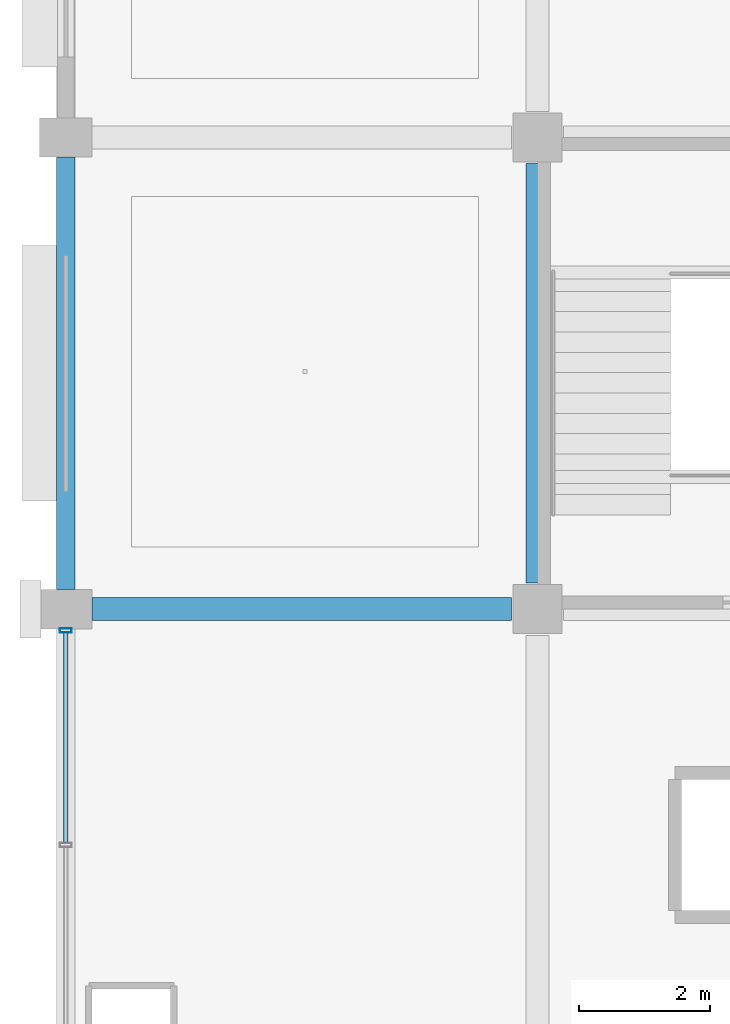
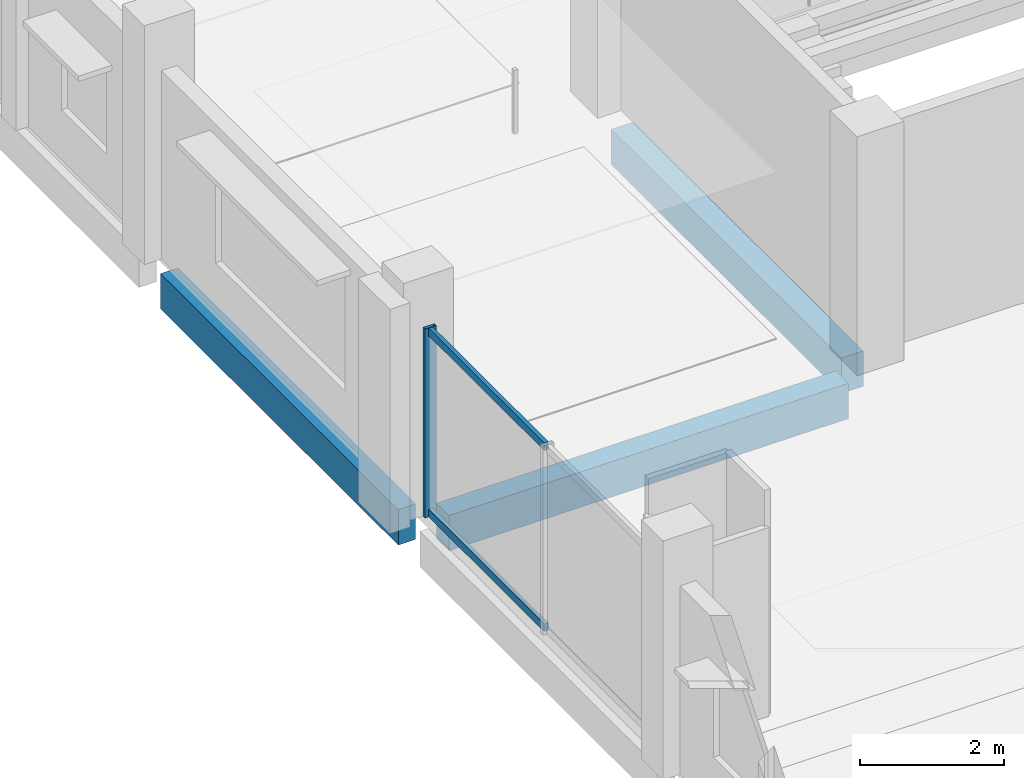
# One storey, part 11 of 91: 3 beams, 3 members, 1 element without a shape of its own.
"""IFC4 building model written with IfcOpenShell, lengths in metres."""

from ifc_helpers import new_model, si_unit, direction, frame, origin, origin_2d, place, context, subcontext, project, spatial, rectangle, hollow_rectangle, extrude, material, layer, layer_set, material_profile, profile_set, type_object, element, aggregate, save


model = new_model("IFC4")

# Units and contexts
model_context = context("Model", 3, precision=1e-05, world=origin(), true_north=direction((0.0, 1.0)))
body_context = subcontext(model_context, "Body", "Model", "MODEL_VIEW")
ifc_project = project(units=[si_unit("LENGTHUNIT", "METRE"), si_unit("AREAUNIT", "SQUARE_METRE"), si_unit("VOLUMEUNIT", "CUBIC_METRE"), si_unit("PLANEANGLEUNIT", "RADIAN"), si_unit("MASSUNIT", "GRAM", prefix="KILO")], contexts=[model_context])

# Site, building, storey
site_placement = place(None, origin())
site = spatial("IfcSite", under=ifc_project, at=site_placement, CompositionType="ELEMENT")
building_placement = place(site_placement, origin())
building = spatial("IfcBuilding", under=site, at=building_placement, Name="Kangsadwip Square Police Headquarters", CompositionType="ELEMENT")
storey_placement = place(building_placement, frame((0.0, 0.0, 13.5)))
storey = spatial("IfcBuildingStorey", under=building, at=storey_placement, Name="L03", CompositionType="ELEMENT", Elevation=13.5)

# Curtain wall, members
ifc_material_1 = material(Name="Thermally broken anodised aluminium AW-6063-T6", Category="aluminium")
ifc_layer = layer(ifc_material_1, 0.159912109375)
ifc_layer_set = layer_set([ifc_layer], Name="Thermally broken anodised aluminium AW-6063-T6")
curtain_wall_type = type_object("IfcCurtainWallType", Name="UnitisedCw6610x3200", PredefinedType="NOTDEFINED", material=ifc_layer_set)
curtain_wall_placement = place(storey_placement, origin())
curtain_wall = element("IfcCurtainWall", 1, at=curtain_wall_placement, inside=storey, type_object=curtain_wall_type, Name="Curtain Wall CW-L03-0000-0651", PredefinedType="NOTDEFINED")
ifc_material_2 = material(Name="Thermally broken anodised aluminium AW-6063-T6", Category="aluminium")
ifc_material_profile_1 = material_profile(ifc_material_2, hollow_rectangle(XDim=0.06494140625, YDim=0.179931640625, WallThickness=0.00390625, at=origin_2d()), Name="CWM 180X65X4")
ifc_profile_set_1 = profile_set([ifc_material_profile_1], Name="Thermally broken anodised aluminium AW-6063-T6")
member_type_1 = type_object("IfcMemberType", Name="CwMullion160x65", PredefinedType="MULLION", material=ifc_profile_set_1)
member_1_placement = place(storey_placement, frame((0.0, 71.672607421875, 0.0), z_axis=(0.0, 0.0, 1.0), x_axis=(0.0, 1.0, 0.0)))
member_1 = element("IfcMember", 2, at=member_1_placement, type_object=member_type_1, Name="CW-28 mullion 3", PredefinedType="MULLION", context=body_context, shape_type="SweptSolid", body=[
    extrude(hollow_rectangle(XDim=0.06494140625, YDim=0.179931640625, WallThickness=0.00390625, at=origin_2d()), origin(), (0.0, 0.0, 1.0), 3.199951171875),
])
ifc_material_3 = material(Name="Thermally broken anodised aluminium AW-6063-T6", Category="aluminium")
ifc_material_profile_2 = material_profile(ifc_material_3, hollow_rectangle(XDim=0.06494140625, YDim=0.1298828125, WallThickness=0.00390625, at=origin_2d()), Name="CWT 130X65X4")
ifc_profile_set_2 = profile_set([ifc_material_profile_2], Name="Thermally broken anodised aluminium AW-6063-T6")
member_type_2 = type_object("IfcMemberType", Name="CwTransom140x60", PredefinedType="USERDEFINED", material=ifc_profile_set_2)
member_2_placement = place(storey_placement, frame((0.0, 68.4326171875, 0.06494140625), z_axis=(0.0, 1.0, 0.0), x_axis=(-1.0, 0.0, 0.0)))
member_2 = element("IfcMember", 3, at=member_2_placement, type_object=member_type_2, Name="CW-28 transom 2.1", ObjectType="TRANSOM", PredefinedType="USERDEFINED", context=body_context, shape_type="SweptSolid", body=[
    extrude(hollow_rectangle(XDim=0.06494140625, YDim=0.1298828125, WallThickness=0.00390625, at=origin_2d()), origin(), (0.0, 0.0, 1.0), 3.207275390625),
])
member_3_placement = place(storey_placement, frame((0.0, 68.4326171875, 3.135009765625), z_axis=(0.0, 1.0, 0.0), x_axis=(-1.0, 0.0, 0.0)))
member_3 = element("IfcMember", 4, at=member_3_placement, type_object=member_type_2, Name="CW-28 transom 2.2", ObjectType="TRANSOM", PredefinedType="USERDEFINED", context=body_context, shape_type="SweptSolid", body=[
    extrude(hollow_rectangle(XDim=0.06494140625, YDim=0.1298828125, WallThickness=0.00390625, at=origin_2d()), origin(), (0.0, 0.0, 1.0), 3.207275390625),
])
aggregate(curtain_wall, [member_1, member_2, member_3])

# Beams
ifc_material_4 = material(Name="Concrete M35 (35 MPa)", Category="concrete")
ifc_material_profile_3 = material_profile(ifc_material_4, rectangle(XDim=0.35009765625, YDim=0.60009765625, at=origin_2d()), Name="RC BM 600X350")
ifc_profile_set_3 = profile_set([ifc_material_profile_3], Name="Concrete M35 (35 MPa)")
beam_type_1 = type_object("IfcBeamType", Name="RcBeam600x350", PredefinedType="BEAM", material=ifc_profile_set_3)
for number, where, z_axis, x_axis, name in (
    (5, (0.39990234375, 72.0, -0.5400390625), (1.0, 0.0, 0.0), (0.0, 1.0, 0.0), "Beam BM-L03-X-00-10"),
    (6, (7.199951171875, 72.39990234375, -0.5400390625), (0.0, 1.0, 0.0), (-1.0, 0.0, 0.0), "Beam BM-L03-Y-01-10"),
):
    element("IfcBeam", number, at=place(storey_placement, frame(where, z_axis=z_axis, x_axis=x_axis)), inside=storey, type_object=beam_type_1, Name=name, PredefinedType="BEAM", context=body_context, shape_type="SweptSolid", body=[
        extrude(rectangle(XDim=0.35009765625, YDim=0.60009765625, at=origin_2d()), origin(), (0.0, 0.0, 1.0), 6.400146484375),
    ])
ifc_material_5 = material(Name="Concrete M40 (40 MPa)", Category="concrete")
ifc_material_profile_4 = material_profile(ifc_material_5, rectangle(XDim=0.280029296875, YDim=0.60009765625, at=origin_2d()), Name="RC SPN 600X280")
ifc_profile_set_4 = profile_set([ifc_material_profile_4], Name="Concrete M40 (40 MPa)")
beam_type_2 = type_object("IfcBeamType", Name="RcSpandrel600x280", PredefinedType="SPANDREL", material=ifc_profile_set_4)
beam_placement = place(storey_placement, frame((0.0, 72.300048828125, -0.5400390625), z_axis=(0.0, 1.0, 0.0), x_axis=(-1.0, 0.0, 0.0)))
element("IfcBeam", 7, at=beam_placement, inside=storey, type_object=beam_type_2, Name="Beam BM-L03-Y-00-10", PredefinedType="SPANDREL", context=body_context, shape_type="SweptSolid", body=[
    extrude(rectangle(XDim=0.280029296875, YDim=0.60009765625, at=origin_2d()), origin(), (0.0, 0.0, 1.0), 6.599853515625),
])

save(model, "model.ifc")
